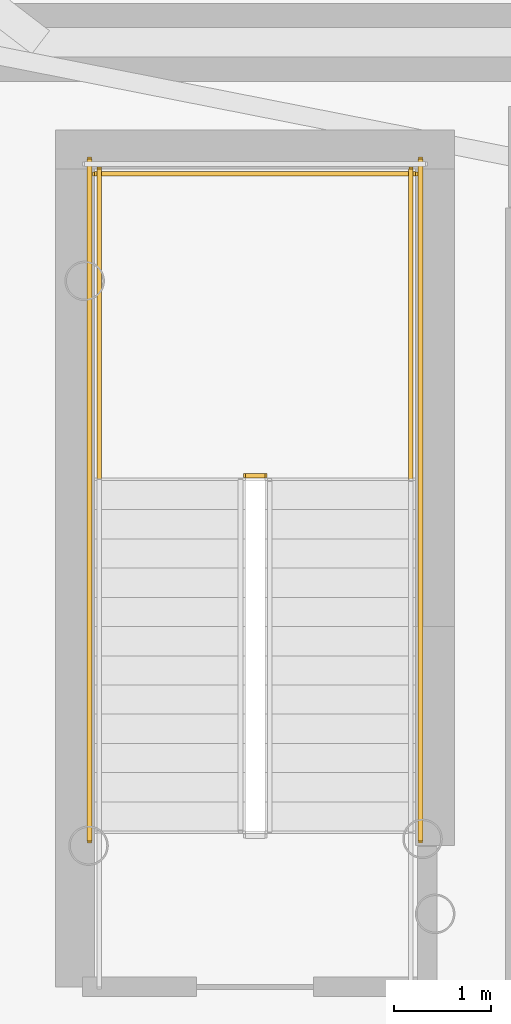
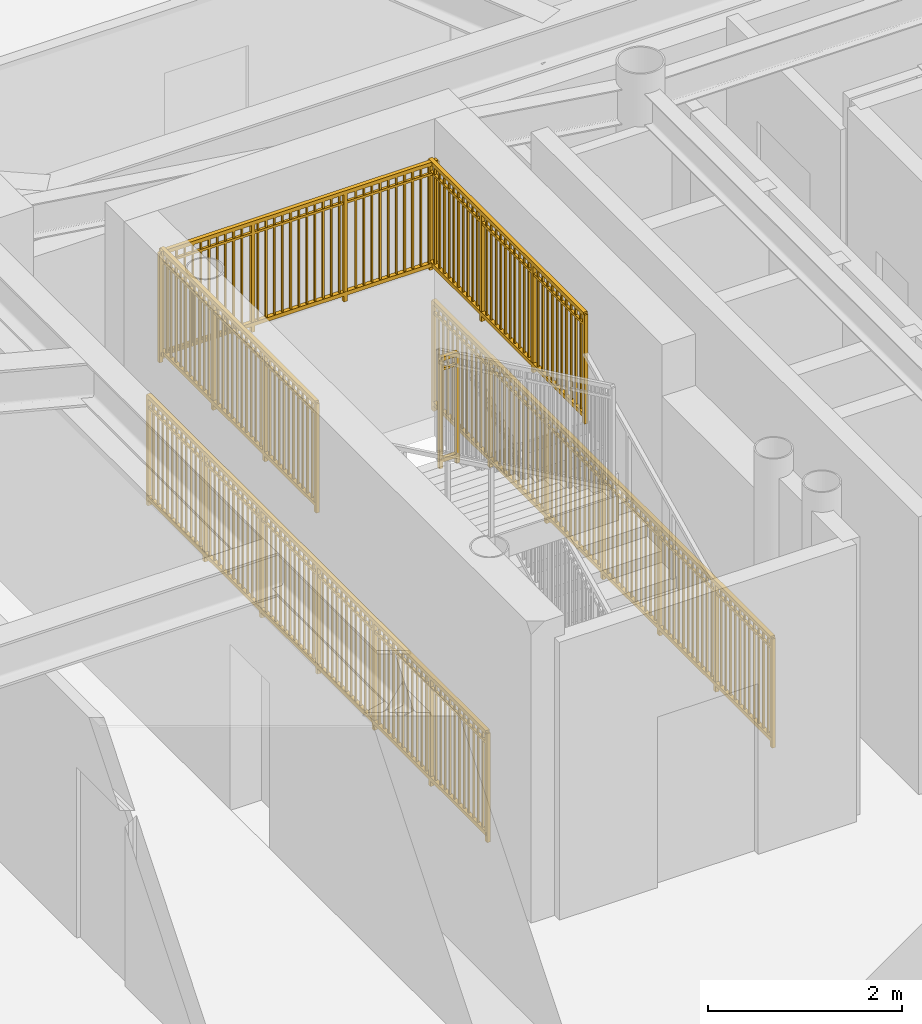
# One storey, part 14 of 18: 6 railings.
"""IFC4 building model written with IfcOpenShell, lengths in metres."""

from ifc_helpers import new_model, si_unit, direction, frame, origin, origin_2d, place, context, subcontext, project, spatial, rectangle, extrude, source, transform, mapped, material, type_object, element, save


model = new_model("IFC4")

# Units and contexts
model_context = context("Model", 3, precision=1e-05, world=origin(), true_north=direction((0.0, 1.0)))
body_context = subcontext(model_context, "Body", "Model", "MODEL_VIEW")
ifc_project = project(units=[si_unit("LENGTHUNIT", "METRE"), si_unit("AREAUNIT", "SQUARE_METRE"), si_unit("VOLUMEUNIT", "CUBIC_METRE"), si_unit("PLANEANGLEUNIT", "RADIAN"), si_unit("MASSUNIT", "GRAM", prefix="KILO")], contexts=[model_context])

# Site, building, storey
site_placement = place(None, origin())
site = spatial("IfcSite", under=ifc_project, at=site_placement, CompositionType="ELEMENT")
building_placement = place(site_placement, origin())
building = spatial("IfcBuilding", under=site, at=building_placement, Name="Linh Dai School and Residence Tower", CompositionType="ELEMENT")
storey_placement = place(building_placement, frame((0.0, 0.0, 104.699951171875)))
storey = spatial("IfcBuildingStorey", under=building, at=storey_placement, Name="L24", CompositionType="ELEMENT", Elevation=104.699951171875)

# Railings
ifc_material = material(Name="Structural Steel S355JR", Category="steel")
railing_type = type_object("IfcRailingType", Name="RL-ST-GUARD-1400", PredefinedType="GUARDRAIL", material=ifc_material)
shared_shape_1 = source(origin(), body_context, "Body", "SweptSolid", [
    extrude(rectangle(XDim=0.048095703125, YDim=0.048095703125, at=origin_2d()), frame((0.0, 0.0, 1.3759765625), z_axis=(-1.0, 0.0, 0.0), x_axis=(0.0, -1.0, 0.0)), (0.0, 0.0, 1.0), 0.199951171875),
    extrude(rectangle(XDim=0.048095703125, YDim=0.048095703125, at=origin_2d()), frame((0.0, 0.0, 0.10009765625), z_axis=(-1.0, 0.0, 0.0), x_axis=(0.0, -1.0, 0.0)), (0.0, 0.0, 1.0), 0.199951171875),
    extrude(rectangle(XDim=0.030029296875, YDim=0.030029296875, at=origin_2d()), frame((0.0, 0.0, 1.239990234375), z_axis=(-1.0, 0.0, 0.0), x_axis=(0.0, -1.0, 0.0)), (0.0, 0.0, 1.0), 0.199951171875),
    extrude(rectangle(XDim=0.0419921875, YDim=0.0419921875, at=origin_2d()), origin(), (0.0, 0.0, 1.0), 1.3759765625),
    extrude(rectangle(XDim=0.0419921875, YDim=0.0419921875, at=origin_2d()), frame((-0.199951171875, 0.0, 0.0)), (0.0, 0.0, 1.0), 1.3759765625),
])
railing_1_placement = place(storey_placement, frame((29.429931640625, 29.35009765625, 1.875)))
element("IfcRailing", 1, at=railing_1_placement, inside=storey, type_object=railing_type, Name="L24 ST1 stair guard 2", PredefinedType="GUARDRAIL", context=body_context, shape_type="MappedRepresentation", body=[
    mapped(shared_shape_1, transform((0.0, 0.0, 0.0), x_axis=(1.0, 0.0, 0.0), y_axis=(0.0, 1.0, 0.0), z_axis=(0.0, 0.0, 1.0), scale=1.0)),
])
shared_shape_2 = source(origin(), body_context, "Body", "SweptSolid", [
    extrude(rectangle(XDim=0.048095703125, YDim=0.048095703125, at=origin_2d()), frame((0.0, 0.0, 1.3759765625), z_axis=(-1.0, 0.0, 0.0), x_axis=(0.0, -1.0, 0.0)), (0.0, 0.0, 1.0), 3.300048828125),
    extrude(rectangle(XDim=0.048095703125, YDim=0.048095703125, at=origin_2d()), frame((0.0, 0.0, 0.10009765625), z_axis=(-1.0, 0.0, 0.0), x_axis=(0.0, -1.0, 0.0)), (0.0, 0.0, 1.0), 3.300048828125),
    extrude(rectangle(XDim=0.030029296875, YDim=0.030029296875, at=origin_2d()), frame((0.0, 0.0, 1.239990234375), z_axis=(-1.0, 0.0, 0.0), x_axis=(0.0, -1.0, 0.0)), (0.0, 0.0, 1.0), 3.300048828125),
    extrude(rectangle(XDim=0.02001953125, YDim=0.02001953125, at=origin_2d()), frame((-0.09716796875, 0.0, 0.10009765625)), (0.0, 0.0, 1.0), 1.251708984375),
    extrude(rectangle(XDim=0.02001953125, YDim=0.02001953125, at=origin_2d()), frame((-0.194091796875, 0.0, 0.10009765625)), (0.0, 0.0, 1.0), 1.251708984375),
    extrude(rectangle(XDim=0.02001953125, YDim=0.02001953125, at=origin_2d()), frame((-0.291259765625, 0.0, 0.10009765625)), (0.0, 0.0, 1.0), 1.251708984375),
    extrude(rectangle(XDim=0.02001953125, YDim=0.02001953125, at=origin_2d()), frame((-0.38818359375, 0.0, 0.10009765625)), (0.0, 0.0, 1.0), 1.251708984375),
    extrude(rectangle(XDim=0.02001953125, YDim=0.02001953125, at=origin_2d()), frame((-0.4853515625, 0.0, 0.10009765625)), (0.0, 0.0, 1.0), 1.251708984375),
    extrude(rectangle(XDim=0.02001953125, YDim=0.02001953125, at=origin_2d()), frame((-0.582275390625, 0.0, 0.10009765625)), (0.0, 0.0, 1.0), 1.251708984375),
    extrude(rectangle(XDim=0.02001953125, YDim=0.02001953125, at=origin_2d()), frame((-0.679443359375, 0.0, 0.10009765625)), (0.0, 0.0, 1.0), 1.251708984375),
    extrude(rectangle(XDim=0.02001953125, YDim=0.02001953125, at=origin_2d()), frame((-0.7763671875, 0.0, 0.10009765625)), (0.0, 0.0, 1.0), 1.251708984375),
    extrude(rectangle(XDim=0.02001953125, YDim=0.02001953125, at=origin_2d()), frame((-0.87353515625, 0.0, 0.10009765625)), (0.0, 0.0, 1.0), 1.251708984375),
    extrude(rectangle(XDim=0.02001953125, YDim=0.02001953125, at=origin_2d()), frame((-0.970703125, 0.0, 0.10009765625)), (0.0, 0.0, 1.0), 1.251708984375),
    extrude(rectangle(XDim=0.02001953125, YDim=0.02001953125, at=origin_2d()), frame((-1.164794921875, 0.0, 0.10009765625)), (0.0, 0.0, 1.0), 1.251708984375),
    extrude(rectangle(XDim=0.02001953125, YDim=0.02001953125, at=origin_2d()), frame((-1.26171875, 0.0, 0.10009765625)), (0.0, 0.0, 1.0), 1.251708984375),
    extrude(rectangle(XDim=0.02001953125, YDim=0.02001953125, at=origin_2d()), frame((-1.35888671875, 0.0, 0.10009765625)), (0.0, 0.0, 1.0), 1.251708984375),
    extrude(rectangle(XDim=0.02001953125, YDim=0.02001953125, at=origin_2d()), frame((-1.455810546875, 0.0, 0.10009765625)), (0.0, 0.0, 1.0), 1.251708984375),
    extrude(rectangle(XDim=0.02001953125, YDim=0.02001953125, at=origin_2d()), frame((-1.552978515625, 0.0, 0.10009765625)), (0.0, 0.0, 1.0), 1.251708984375),
    extrude(rectangle(XDim=0.02001953125, YDim=0.02001953125, at=origin_2d()), frame((-1.64990234375, 0.0, 0.10009765625)), (0.0, 0.0, 1.0), 1.251708984375),
    extrude(rectangle(XDim=0.02001953125, YDim=0.02001953125, at=origin_2d()), frame((-1.7470703125, 0.0, 0.10009765625)), (0.0, 0.0, 1.0), 1.251708984375),
    extrude(rectangle(XDim=0.02001953125, YDim=0.02001953125, at=origin_2d()), frame((-1.84423828125, 0.0, 0.10009765625)), (0.0, 0.0, 1.0), 1.251708984375),
    extrude(rectangle(XDim=0.02001953125, YDim=0.02001953125, at=origin_2d()), frame((-1.941162109375, 0.0, 0.10009765625)), (0.0, 0.0, 1.0), 1.251708984375),
    extrude(rectangle(XDim=0.02001953125, YDim=0.02001953125, at=origin_2d()), frame((-2.038330078125, 0.0, 0.10009765625)), (0.0, 0.0, 1.0), 1.251708984375),
    extrude(rectangle(XDim=0.02001953125, YDim=0.02001953125, at=origin_2d()), frame((-2.13525390625, 0.0, 0.10009765625)), (0.0, 0.0, 1.0), 1.251708984375),
    extrude(rectangle(XDim=0.02001953125, YDim=0.02001953125, at=origin_2d()), frame((-2.329345703125, 0.0, 0.10009765625)), (0.0, 0.0, 1.0), 1.251708984375),
    extrude(rectangle(XDim=0.02001953125, YDim=0.02001953125, at=origin_2d()), frame((-2.426513671875, 0.0, 0.10009765625)), (0.0, 0.0, 1.0), 1.251708984375),
    extrude(rectangle(XDim=0.02001953125, YDim=0.02001953125, at=origin_2d()), frame((-2.523681640625, 0.0, 0.10009765625)), (0.0, 0.0, 1.0), 1.251708984375),
    extrude(rectangle(XDim=0.02001953125, YDim=0.02001953125, at=origin_2d()), frame((-2.62060546875, 0.0, 0.10009765625)), (0.0, 0.0, 1.0), 1.251708984375),
    extrude(rectangle(XDim=0.02001953125, YDim=0.02001953125, at=origin_2d()), frame((-2.7177734375, 0.0, 0.10009765625)), (0.0, 0.0, 1.0), 1.251708984375),
    extrude(rectangle(XDim=0.02001953125, YDim=0.02001953125, at=origin_2d()), frame((-2.814697265625, 0.0, 0.10009765625)), (0.0, 0.0, 1.0), 1.251708984375),
    extrude(rectangle(XDim=0.02001953125, YDim=0.02001953125, at=origin_2d()), frame((-2.911865234375, 0.0, 0.10009765625)), (0.0, 0.0, 1.0), 1.251708984375),
    extrude(rectangle(XDim=0.02001953125, YDim=0.02001953125, at=origin_2d()), frame((-3.0087890625, 0.0, 0.10009765625)), (0.0, 0.0, 1.0), 1.251708984375),
    extrude(rectangle(XDim=0.02001953125, YDim=0.02001953125, at=origin_2d()), frame((-3.10595703125, 0.0, 0.10009765625)), (0.0, 0.0, 1.0), 1.251708984375),
    extrude(rectangle(XDim=0.02001953125, YDim=0.02001953125, at=origin_2d()), frame((-3.202880859375, 0.0, 0.10009765625)), (0.0, 0.0, 1.0), 1.251708984375),
    extrude(rectangle(XDim=0.0419921875, YDim=0.0419921875, at=origin_2d()), origin(), (0.0, 0.0, 1.0), 1.3759765625),
    extrude(rectangle(XDim=0.0419921875, YDim=0.0419921875, at=origin_2d()), frame((-1.10009765625, 0.0, 0.0)), (0.0, 0.0, 1.0), 1.3759765625),
    extrude(rectangle(XDim=0.0419921875, YDim=0.0419921875, at=origin_2d()), frame((-2.199951171875, 0.0, 0.0)), (0.0, 0.0, 1.0), 1.3759765625),
    extrude(rectangle(XDim=0.0419921875, YDim=0.0419921875, at=origin_2d()), frame((-3.300048828125, 0.0, 0.0)), (0.0, 0.0, 1.0), 1.3759765625),
])
railing_2_placement = place(storey_placement, frame((30.97998046875, 32.449951171875, 1.875)))
element("IfcRailing", 2, at=railing_2_placement, inside=storey, type_object=railing_type, Name="L24 ST1 stair guard 5", PredefinedType="GUARDRAIL", context=body_context, shape_type="MappedRepresentation", body=[
    mapped(shared_shape_2, transform((0.0, 0.0, 0.0), x_axis=(1.0, 0.0, 0.0), y_axis=(0.0, 1.0, 0.0), z_axis=(0.0, 0.0, 1.0), scale=1.0)),
])
shared_shape_3 = source(origin(), body_context, "Body", "SweptSolid", [
    extrude(rectangle(XDim=0.048095703125, YDim=0.048095703125, at=origin_2d()), frame((0.0, 0.0, 1.3759765625), z_axis=(0.0, 1.0, 0.0), x_axis=(-1.0, 0.0, 0.0)), (0.0, 0.0, 1.0), 7.0),
    extrude(rectangle(XDim=0.048095703125, YDim=0.048095703125, at=origin_2d()), frame((0.0, 0.0, 0.10009765625), z_axis=(0.0, 1.0, 0.0), x_axis=(-1.0, 0.0, 0.0)), (0.0, 0.0, 1.0), 7.0),
    extrude(rectangle(XDim=0.030029296875, YDim=0.030029296875, at=origin_2d()), frame((0.0, 0.0, 1.239990234375), z_axis=(0.0, 1.0, 0.0), x_axis=(-1.0, 0.0, 0.0)), (0.0, 0.0, 1.0), 7.0),
    extrude(rectangle(XDim=0.02001953125, YDim=0.02001953125, at=origin_2d()), frame((0.0, 0.09716796875, 0.10009765625)), (0.0, 0.0, 1.0), 1.251708984375),
    extrude(rectangle(XDim=0.02001953125, YDim=0.02001953125, at=origin_2d()), frame((0.0, 0.1943359375, 0.10009765625)), (0.0, 0.0, 1.0), 1.251708984375),
    extrude(rectangle(XDim=0.02001953125, YDim=0.02001953125, at=origin_2d()), frame((0.0, 0.291748046875, 0.10009765625)), (0.0, 0.0, 1.0), 1.251708984375),
    extrude(rectangle(XDim=0.02001953125, YDim=0.02001953125, at=origin_2d()), frame((0.0, 0.388916015625, 0.10009765625)), (0.0, 0.0, 1.0), 1.251708984375),
    extrude(rectangle(XDim=0.02001953125, YDim=0.02001953125, at=origin_2d()), frame((0.0, 0.486083984375, 0.10009765625)), (0.0, 0.0, 1.0), 1.251708984375),
    extrude(rectangle(XDim=0.02001953125, YDim=0.02001953125, at=origin_2d()), frame((0.0, 0.583251953125, 0.10009765625)), (0.0, 0.0, 1.0), 1.251708984375),
    extrude(rectangle(XDim=0.02001953125, YDim=0.02001953125, at=origin_2d()), frame((0.0, 0.6806640625, 0.10009765625)), (0.0, 0.0, 1.0), 1.251708984375),
    extrude(rectangle(XDim=0.02001953125, YDim=0.02001953125, at=origin_2d()), frame((0.0, 0.77783203125, 0.10009765625)), (0.0, 0.0, 1.0), 1.251708984375),
    extrude(rectangle(XDim=0.02001953125, YDim=0.02001953125, at=origin_2d()), frame((0.0, 0.875, 0.10009765625)), (0.0, 0.0, 1.0), 1.251708984375),
    extrude(rectangle(XDim=0.02001953125, YDim=0.02001953125, at=origin_2d()), frame((0.0, 0.97216796875, 0.10009765625)), (0.0, 0.0, 1.0), 1.251708984375),
    extrude(rectangle(XDim=0.02001953125, YDim=0.02001953125, at=origin_2d()), frame((0.0, 1.0693359375, 0.10009765625)), (0.0, 0.0, 1.0), 1.251708984375),
    extrude(rectangle(XDim=0.02001953125, YDim=0.02001953125, at=origin_2d()), frame((0.0, 1.263916015625, 0.10009765625)), (0.0, 0.0, 1.0), 1.251708984375),
    extrude(rectangle(XDim=0.02001953125, YDim=0.02001953125, at=origin_2d()), frame((0.0, 1.361083984375, 0.10009765625)), (0.0, 0.0, 1.0), 1.251708984375),
    extrude(rectangle(XDim=0.02001953125, YDim=0.02001953125, at=origin_2d()), frame((0.0, 1.458251953125, 0.10009765625)), (0.0, 0.0, 1.0), 1.251708984375),
    extrude(rectangle(XDim=0.02001953125, YDim=0.02001953125, at=origin_2d()), frame((0.0, 1.5556640625, 0.10009765625)), (0.0, 0.0, 1.0), 1.251708984375),
    extrude(rectangle(XDim=0.02001953125, YDim=0.02001953125, at=origin_2d()), frame((0.0, 1.65283203125, 0.10009765625)), (0.0, 0.0, 1.0), 1.251708984375),
    extrude(rectangle(XDim=0.02001953125, YDim=0.02001953125, at=origin_2d()), frame((0.0, 1.75, 0.10009765625)), (0.0, 0.0, 1.0), 1.251708984375),
    extrude(rectangle(XDim=0.02001953125, YDim=0.02001953125, at=origin_2d()), frame((0.0, 1.84716796875, 0.10009765625)), (0.0, 0.0, 1.0), 1.251708984375),
    extrude(rectangle(XDim=0.02001953125, YDim=0.02001953125, at=origin_2d()), frame((0.0, 1.9443359375, 0.10009765625)), (0.0, 0.0, 1.0), 1.251708984375),
    extrude(rectangle(XDim=0.02001953125, YDim=0.02001953125, at=origin_2d()), frame((0.0, 2.041748046875, 0.10009765625)), (0.0, 0.0, 1.0), 1.251708984375),
    extrude(rectangle(XDim=0.02001953125, YDim=0.02001953125, at=origin_2d()), frame((0.0, 2.138916015625, 0.10009765625)), (0.0, 0.0, 1.0), 1.251708984375),
    extrude(rectangle(XDim=0.02001953125, YDim=0.02001953125, at=origin_2d()), frame((0.0, 2.236083984375, 0.10009765625)), (0.0, 0.0, 1.0), 1.251708984375),
    extrude(rectangle(XDim=0.02001953125, YDim=0.02001953125, at=origin_2d()), frame((0.0, 2.4306640625, 0.10009765625)), (0.0, 0.0, 1.0), 1.251708984375),
    extrude(rectangle(XDim=0.02001953125, YDim=0.02001953125, at=origin_2d()), frame((0.0, 2.52783203125, 0.10009765625)), (0.0, 0.0, 1.0), 1.251708984375),
    extrude(rectangle(XDim=0.02001953125, YDim=0.02001953125, at=origin_2d()), frame((0.0, 2.625, 0.10009765625)), (0.0, 0.0, 1.0), 1.251708984375),
    extrude(rectangle(XDim=0.02001953125, YDim=0.02001953125, at=origin_2d()), frame((0.0, 2.72216796875, 0.10009765625)), (0.0, 0.0, 1.0), 1.251708984375),
    extrude(rectangle(XDim=0.02001953125, YDim=0.02001953125, at=origin_2d()), frame((0.0, 2.8193359375, 0.10009765625)), (0.0, 0.0, 1.0), 1.251708984375),
    extrude(rectangle(XDim=0.02001953125, YDim=0.02001953125, at=origin_2d()), frame((0.0, 2.916748046875, 0.10009765625)), (0.0, 0.0, 1.0), 1.251708984375),
    extrude(rectangle(XDim=0.02001953125, YDim=0.02001953125, at=origin_2d()), frame((0.0, 3.013916015625, 0.10009765625)), (0.0, 0.0, 1.0), 1.251708984375),
    extrude(rectangle(XDim=0.02001953125, YDim=0.02001953125, at=origin_2d()), frame((0.0, 3.111083984375, 0.10009765625)), (0.0, 0.0, 1.0), 1.251708984375),
    extrude(rectangle(XDim=0.02001953125, YDim=0.02001953125, at=origin_2d()), frame((0.0, 3.208251953125, 0.10009765625)), (0.0, 0.0, 1.0), 1.251708984375),
    extrude(rectangle(XDim=0.02001953125, YDim=0.02001953125, at=origin_2d()), frame((0.0, 3.3056640625, 0.10009765625)), (0.0, 0.0, 1.0), 1.251708984375),
    extrude(rectangle(XDim=0.02001953125, YDim=0.02001953125, at=origin_2d()), frame((0.0, 3.40283203125, 0.10009765625)), (0.0, 0.0, 1.0), 1.251708984375),
    extrude(rectangle(XDim=0.02001953125, YDim=0.02001953125, at=origin_2d()), frame((0.0, 3.59716796875, 0.10009765625)), (0.0, 0.0, 1.0), 1.251708984375),
    extrude(rectangle(XDim=0.02001953125, YDim=0.02001953125, at=origin_2d()), frame((0.0, 3.6943359375, 0.10009765625)), (0.0, 0.0, 1.0), 1.251708984375),
    extrude(rectangle(XDim=0.02001953125, YDim=0.02001953125, at=origin_2d()), frame((0.0, 3.791748046875, 0.10009765625)), (0.0, 0.0, 1.0), 1.251708984375),
    extrude(rectangle(XDim=0.02001953125, YDim=0.02001953125, at=origin_2d()), frame((0.0, 3.888916015625, 0.10009765625)), (0.0, 0.0, 1.0), 1.251708984375),
    extrude(rectangle(XDim=0.02001953125, YDim=0.02001953125, at=origin_2d()), frame((0.0, 3.986083984375, 0.10009765625)), (0.0, 0.0, 1.0), 1.251708984375),
    extrude(rectangle(XDim=0.02001953125, YDim=0.02001953125, at=origin_2d()), frame((0.0, 4.083251953125, 0.10009765625)), (0.0, 0.0, 1.0), 1.251708984375),
    extrude(rectangle(XDim=0.02001953125, YDim=0.02001953125, at=origin_2d()), frame((0.0, 4.1806640625, 0.10009765625)), (0.0, 0.0, 1.0), 1.251708984375),
    extrude(rectangle(XDim=0.02001953125, YDim=0.02001953125, at=origin_2d()), frame((0.0, 4.27783203125, 0.10009765625)), (0.0, 0.0, 1.0), 1.251708984375),
    extrude(rectangle(XDim=0.02001953125, YDim=0.02001953125, at=origin_2d()), frame((0.0, 4.375, 0.10009765625)), (0.0, 0.0, 1.0), 1.251708984375),
    extrude(rectangle(XDim=0.02001953125, YDim=0.02001953125, at=origin_2d()), frame((0.0, 4.47216796875, 0.10009765625)), (0.0, 0.0, 1.0), 1.251708984375),
    extrude(rectangle(XDim=0.02001953125, YDim=0.02001953125, at=origin_2d()), frame((0.0, 4.5693359375, 0.10009765625)), (0.0, 0.0, 1.0), 1.251708984375),
    extrude(rectangle(XDim=0.02001953125, YDim=0.02001953125, at=origin_2d()), frame((0.0, 4.763916015625, 0.10009765625)), (0.0, 0.0, 1.0), 1.251708984375),
    extrude(rectangle(XDim=0.02001953125, YDim=0.02001953125, at=origin_2d()), frame((0.0, 4.861083984375, 0.10009765625)), (0.0, 0.0, 1.0), 1.251708984375),
    extrude(rectangle(XDim=0.02001953125, YDim=0.02001953125, at=origin_2d()), frame((0.0, 4.958251953125, 0.10009765625)), (0.0, 0.0, 1.0), 1.251708984375),
    extrude(rectangle(XDim=0.02001953125, YDim=0.02001953125, at=origin_2d()), frame((0.0, 5.0556640625, 0.10009765625)), (0.0, 0.0, 1.0), 1.251708984375),
    extrude(rectangle(XDim=0.02001953125, YDim=0.02001953125, at=origin_2d()), frame((0.0, 5.15283203125, 0.10009765625)), (0.0, 0.0, 1.0), 1.251708984375),
    extrude(rectangle(XDim=0.02001953125, YDim=0.02001953125, at=origin_2d()), frame((0.0, 5.25, 0.10009765625)), (0.0, 0.0, 1.0), 1.251708984375),
    extrude(rectangle(XDim=0.02001953125, YDim=0.02001953125, at=origin_2d()), frame((0.0, 5.34716796875, 0.10009765625)), (0.0, 0.0, 1.0), 1.251708984375),
    extrude(rectangle(XDim=0.02001953125, YDim=0.02001953125, at=origin_2d()), frame((0.0, 5.4443359375, 0.10009765625)), (0.0, 0.0, 1.0), 1.251708984375),
    extrude(rectangle(XDim=0.02001953125, YDim=0.02001953125, at=origin_2d()), frame((0.0, 5.541748046875, 0.10009765625)), (0.0, 0.0, 1.0), 1.251708984375),
    extrude(rectangle(XDim=0.02001953125, YDim=0.02001953125, at=origin_2d()), frame((0.0, 5.638916015625, 0.10009765625)), (0.0, 0.0, 1.0), 1.251708984375),
    extrude(rectangle(XDim=0.02001953125, YDim=0.02001953125, at=origin_2d()), frame((0.0, 5.736083984375, 0.10009765625)), (0.0, 0.0, 1.0), 1.251708984375),
    extrude(rectangle(XDim=0.02001953125, YDim=0.02001953125, at=origin_2d()), frame((0.0, 5.9306640625, 0.10009765625)), (0.0, 0.0, 1.0), 1.251708984375),
    extrude(rectangle(XDim=0.02001953125, YDim=0.02001953125, at=origin_2d()), frame((0.0, 6.02783203125, 0.10009765625)), (0.0, 0.0, 1.0), 1.251708984375),
    extrude(rectangle(XDim=0.02001953125, YDim=0.02001953125, at=origin_2d()), frame((0.0, 6.125, 0.10009765625)), (0.0, 0.0, 1.0), 1.251708984375),
    extrude(rectangle(XDim=0.02001953125, YDim=0.02001953125, at=origin_2d()), frame((0.0, 6.22216796875, 0.10009765625)), (0.0, 0.0, 1.0), 1.251708984375),
    extrude(rectangle(XDim=0.02001953125, YDim=0.02001953125, at=origin_2d()), frame((0.0, 6.3193359375, 0.10009765625)), (0.0, 0.0, 1.0), 1.251708984375),
    extrude(rectangle(XDim=0.02001953125, YDim=0.02001953125, at=origin_2d()), frame((0.0, 6.416748046875, 0.10009765625)), (0.0, 0.0, 1.0), 1.251708984375),
    extrude(rectangle(XDim=0.02001953125, YDim=0.02001953125, at=origin_2d()), frame((0.0, 6.513916015625, 0.10009765625)), (0.0, 0.0, 1.0), 1.251708984375),
    extrude(rectangle(XDim=0.02001953125, YDim=0.02001953125, at=origin_2d()), frame((0.0, 6.611083984375, 0.10009765625)), (0.0, 0.0, 1.0), 1.251708984375),
    extrude(rectangle(XDim=0.02001953125, YDim=0.02001953125, at=origin_2d()), frame((0.0, 6.708251953125, 0.10009765625)), (0.0, 0.0, 1.0), 1.251708984375),
    extrude(rectangle(XDim=0.02001953125, YDim=0.02001953125, at=origin_2d()), frame((0.0, 6.8056640625, 0.10009765625)), (0.0, 0.0, 1.0), 1.251708984375),
    extrude(rectangle(XDim=0.02001953125, YDim=0.02001953125, at=origin_2d()), frame((0.0, 6.90283203125, 0.10009765625)), (0.0, 0.0, 1.0), 1.251708984375),
    extrude(rectangle(XDim=0.0419921875, YDim=0.0419921875, at=origin_2d()), origin(), (0.0, 0.0, 1.0), 1.3759765625),
    extrude(rectangle(XDim=0.0419921875, YDim=0.0419921875, at=origin_2d()), frame((0.0, 1.166748046875, 0.0)), (0.0, 0.0, 1.0), 1.3759765625),
    extrude(rectangle(XDim=0.0419921875, YDim=0.0419921875, at=origin_2d()), frame((0.0, 2.333251953125, 0.0)), (0.0, 0.0, 1.0), 1.3759765625),
    extrude(rectangle(XDim=0.0419921875, YDim=0.0419921875, at=origin_2d()), frame((0.0, 3.5, 0.0)), (0.0, 0.0, 1.0), 1.3759765625),
    extrude(rectangle(XDim=0.0419921875, YDim=0.0419921875, at=origin_2d()), frame((0.0, 4.666748046875, 0.0)), (0.0, 0.0, 1.0), 1.3759765625),
    extrude(rectangle(XDim=0.0419921875, YDim=0.0419921875, at=origin_2d()), frame((0.0, 5.833251953125, 0.0)), (0.0, 0.0, 1.0), 1.3759765625),
    extrude(rectangle(XDim=0.0419921875, YDim=0.0419921875, at=origin_2d()), frame((0.0, 7.0, 0.0)), (0.0, 0.0, 1.0), 1.3759765625),
])
for number, where, name in (
    (3, (31.030029296875, 25.60009765625, 0.0), "L24 ST1 stair guard 10"),
    (4, (27.6298828125, 25.60009765625, 0.0), "L24 ST1 stair guard 11"),
):
    element("IfcRailing", number, at=place(storey_placement, frame(where)), inside=storey, type_object=railing_type, Name=name, PredefinedType="GUARDRAIL", context=body_context, shape_type="MappedRepresentation", body=[
        mapped(shared_shape_3, transform((0.0, 0.0, 0.0), x_axis=(1.0, 0.0, 0.0), y_axis=(0.0, 1.0, 0.0), z_axis=(0.0, 0.0, 1.0), scale=1.0)),
    ])
shared_shape_4 = source(origin(), body_context, "Body", "SweptSolid", [
    extrude(rectangle(XDim=0.048095703125, YDim=0.048095703125, at=origin_2d()), frame((0.0, 0.0, 1.3759765625), z_axis=(0.0, 1.0, 0.0), x_axis=(-1.0, 0.0, 0.0)), (0.0, 0.0, 1.0), 3.199951171875),
    extrude(rectangle(XDim=0.048095703125, YDim=0.048095703125, at=origin_2d()), frame((0.0, 0.0, 0.10009765625), z_axis=(0.0, 1.0, 0.0), x_axis=(-1.0, 0.0, 0.0)), (0.0, 0.0, 1.0), 3.199951171875),
    extrude(rectangle(XDim=0.030029296875, YDim=0.030029296875, at=origin_2d()), frame((0.0, 0.0, 1.239990234375), z_axis=(0.0, 1.0, 0.0), x_axis=(-1.0, 0.0, 0.0)), (0.0, 0.0, 1.0), 3.199951171875),
    extrude(rectangle(XDim=0.02001953125, YDim=0.02001953125, at=origin_2d()), frame((0.0, 0.096923828125, 0.10009765625)), (0.0, 0.0, 1.0), 1.251708984375),
    extrude(rectangle(XDim=0.02001953125, YDim=0.02001953125, at=origin_2d()), frame((0.0, 0.19384765625, 0.10009765625)), (0.0, 0.0, 1.0), 1.251708984375),
    extrude(rectangle(XDim=0.02001953125, YDim=0.02001953125, at=origin_2d()), frame((0.0, 0.291015625, 0.10009765625)), (0.0, 0.0, 1.0), 1.251708984375),
    extrude(rectangle(XDim=0.02001953125, YDim=0.02001953125, at=origin_2d()), frame((0.0, 0.387939453125, 0.10009765625)), (0.0, 0.0, 1.0), 1.251708984375),
    extrude(rectangle(XDim=0.02001953125, YDim=0.02001953125, at=origin_2d()), frame((0.0, 0.48486328125, 0.10009765625)), (0.0, 0.0, 1.0), 1.251708984375),
    extrude(rectangle(XDim=0.02001953125, YDim=0.02001953125, at=origin_2d()), frame((0.0, 0.581787109375, 0.10009765625)), (0.0, 0.0, 1.0), 1.251708984375),
    extrude(rectangle(XDim=0.02001953125, YDim=0.02001953125, at=origin_2d()), frame((0.0, 0.6787109375, 0.10009765625)), (0.0, 0.0, 1.0), 1.251708984375),
    extrude(rectangle(XDim=0.02001953125, YDim=0.02001953125, at=origin_2d()), frame((0.0, 0.775634765625, 0.10009765625)), (0.0, 0.0, 1.0), 1.251708984375),
    extrude(rectangle(XDim=0.02001953125, YDim=0.02001953125, at=origin_2d()), frame((0.0, 0.872802734375, 0.10009765625)), (0.0, 0.0, 1.0), 1.251708984375),
    extrude(rectangle(XDim=0.02001953125, YDim=0.02001953125, at=origin_2d()), frame((0.0, 0.9697265625, 0.10009765625)), (0.0, 0.0, 1.0), 1.251708984375),
    extrude(rectangle(XDim=0.02001953125, YDim=0.02001953125, at=origin_2d()), frame((0.0, 1.16357421875, 0.10009765625)), (0.0, 0.0, 1.0), 1.251708984375),
    extrude(rectangle(XDim=0.02001953125, YDim=0.02001953125, at=origin_2d()), frame((0.0, 1.260498046875, 0.10009765625)), (0.0, 0.0, 1.0), 1.251708984375),
    extrude(rectangle(XDim=0.02001953125, YDim=0.02001953125, at=origin_2d()), frame((0.0, 1.357666015625, 0.10009765625)), (0.0, 0.0, 1.0), 1.251708984375),
    extrude(rectangle(XDim=0.02001953125, YDim=0.02001953125, at=origin_2d()), frame((0.0, 1.45458984375, 0.10009765625)), (0.0, 0.0, 1.0), 1.251708984375),
    extrude(rectangle(XDim=0.02001953125, YDim=0.02001953125, at=origin_2d()), frame((0.0, 1.551513671875, 0.10009765625)), (0.0, 0.0, 1.0), 1.251708984375),
    extrude(rectangle(XDim=0.02001953125, YDim=0.02001953125, at=origin_2d()), frame((0.0, 1.6484375, 0.10009765625)), (0.0, 0.0, 1.0), 1.251708984375),
    extrude(rectangle(XDim=0.02001953125, YDim=0.02001953125, at=origin_2d()), frame((0.0, 1.745361328125, 0.10009765625)), (0.0, 0.0, 1.0), 1.251708984375),
    extrude(rectangle(XDim=0.02001953125, YDim=0.02001953125, at=origin_2d()), frame((0.0, 1.84228515625, 0.10009765625)), (0.0, 0.0, 1.0), 1.251708984375),
    extrude(rectangle(XDim=0.02001953125, YDim=0.02001953125, at=origin_2d()), frame((0.0, 1.939453125, 0.10009765625)), (0.0, 0.0, 1.0), 1.251708984375),
    extrude(rectangle(XDim=0.02001953125, YDim=0.02001953125, at=origin_2d()), frame((0.0, 2.036376953125, 0.10009765625)), (0.0, 0.0, 1.0), 1.251708984375),
    extrude(rectangle(XDim=0.02001953125, YDim=0.02001953125, at=origin_2d()), frame((0.0, 2.230224609375, 0.10009765625)), (0.0, 0.0, 1.0), 1.251708984375),
    extrude(rectangle(XDim=0.02001953125, YDim=0.02001953125, at=origin_2d()), frame((0.0, 2.3271484375, 0.10009765625)), (0.0, 0.0, 1.0), 1.251708984375),
    extrude(rectangle(XDim=0.02001953125, YDim=0.02001953125, at=origin_2d()), frame((0.0, 2.42431640625, 0.10009765625)), (0.0, 0.0, 1.0), 1.251708984375),
    extrude(rectangle(XDim=0.02001953125, YDim=0.02001953125, at=origin_2d()), frame((0.0, 2.521240234375, 0.10009765625)), (0.0, 0.0, 1.0), 1.251708984375),
    extrude(rectangle(XDim=0.02001953125, YDim=0.02001953125, at=origin_2d()), frame((0.0, 2.6181640625, 0.10009765625)), (0.0, 0.0, 1.0), 1.251708984375),
    extrude(rectangle(XDim=0.02001953125, YDim=0.02001953125, at=origin_2d()), frame((0.0, 2.715087890625, 0.10009765625)), (0.0, 0.0, 1.0), 1.251708984375),
    extrude(rectangle(XDim=0.02001953125, YDim=0.02001953125, at=origin_2d()), frame((0.0, 2.81201171875, 0.10009765625)), (0.0, 0.0, 1.0), 1.251708984375),
    extrude(rectangle(XDim=0.02001953125, YDim=0.02001953125, at=origin_2d()), frame((0.0, 2.908935546875, 0.10009765625)), (0.0, 0.0, 1.0), 1.251708984375),
    extrude(rectangle(XDim=0.02001953125, YDim=0.02001953125, at=origin_2d()), frame((0.0, 3.006103515625, 0.10009765625)), (0.0, 0.0, 1.0), 1.251708984375),
    extrude(rectangle(XDim=0.02001953125, YDim=0.02001953125, at=origin_2d()), frame((0.0, 3.10302734375, 0.10009765625)), (0.0, 0.0, 1.0), 1.251708984375),
    extrude(rectangle(XDim=0.0419921875, YDim=0.0419921875, at=origin_2d()), origin(), (0.0, 0.0, 1.0), 1.3759765625),
    extrude(rectangle(XDim=0.0419921875, YDim=0.0419921875, at=origin_2d()), frame((0.0, 1.066650390625, 0.0)), (0.0, 0.0, 1.0), 1.3759765625),
    extrude(rectangle(XDim=0.0419921875, YDim=0.0419921875, at=origin_2d()), frame((0.0, 2.13330078125, 0.0)), (0.0, 0.0, 1.0), 1.3759765625),
    extrude(rectangle(XDim=0.0419921875, YDim=0.0419921875, at=origin_2d()), frame((0.0, 3.199951171875, 0.0)), (0.0, 0.0, 1.0), 1.3759765625),
])
for number, where, name in (
    (5, (30.929931640625, 29.300048828125, 1.875), "L24 ST1 stair guard 3"),
    (6, (27.72998046875, 29.300048828125, 1.875), "L24 ST1 stair guard 4"),
):
    element("IfcRailing", number, at=place(storey_placement, frame(where)), inside=storey, type_object=railing_type, Name=name, PredefinedType="GUARDRAIL", context=body_context, shape_type="MappedRepresentation", body=[
        mapped(shared_shape_4, transform((0.0, 0.0, 0.0), x_axis=(1.0, 0.0, 0.0), y_axis=(0.0, 1.0, 0.0), z_axis=(0.0, 0.0, 1.0), scale=1.0)),
    ])

save(model, "model.ifc")
